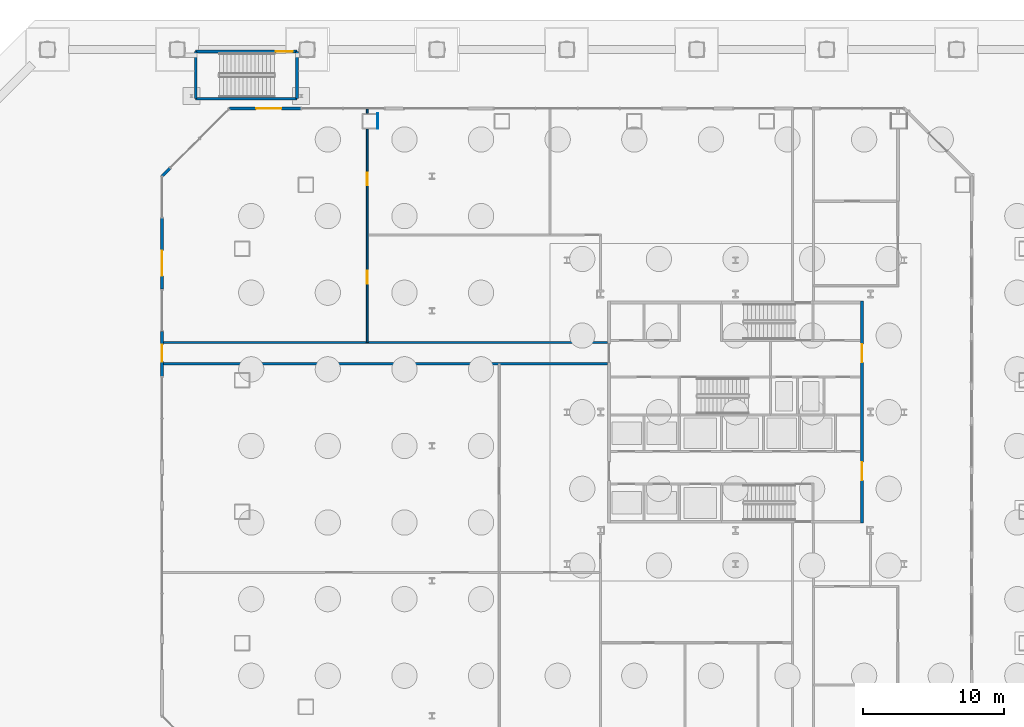
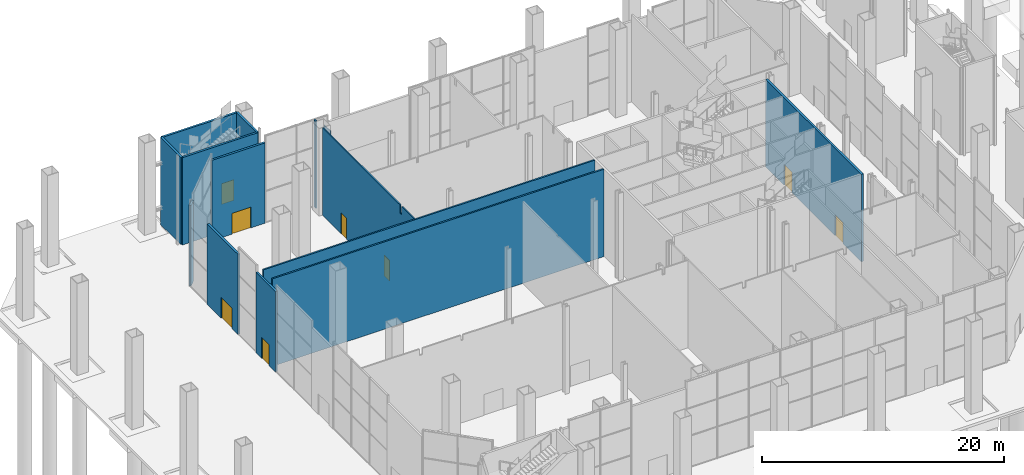
# One storey, part 25 of 38: 14 walls, 8 doors, 8 openings.
"""IFC4 building model written with IfcOpenShell, lengths in metres."""

from ifc_helpers import new_model, si_unit, direction, frame, frame_2d, origin, place, context, subcontext, project, spatial, polyline, rectangle, outline, extrude, material, layer, layer_set, type_object, element, fill, save


model = new_model("IFC4")

# Units and contexts
model_context = context("Model", 3, precision=1e-05, world=origin(), true_north=direction((0.0, 1.0)))
body_context = subcontext(model_context, "Body", "Model", "MODEL_VIEW")
ifc_project = project(units=[si_unit("LENGTHUNIT", "METRE"), si_unit("AREAUNIT", "SQUARE_METRE"), si_unit("VOLUMEUNIT", "CUBIC_METRE"), si_unit("PLANEANGLEUNIT", "RADIAN"), si_unit("MASSUNIT", "GRAM", prefix="KILO")], contexts=[model_context])

# Site, building, storey
site_placement = place(None, origin())
site = spatial("IfcSite", under=ifc_project, at=site_placement, CompositionType="ELEMENT")
building_placement = place(site_placement, origin())
building = spatial("IfcBuilding", under=site, at=building_placement, Name="Cairn Pilgrim Tower", CompositionType="ELEMENT")
storey_placement = place(building_placement, origin())
storey = spatial("IfcBuildingStorey", under=building, at=storey_placement, Name="L00", CompositionType="ELEMENT", Elevation=0.0)

# Wall, openings, doors
ifc_material_1 = material(Name="Concrete C32/40", Category="concrete")
ifc_layer_1 = layer(ifc_material_1, 0.199951171875)
ifc_layer_set_1 = layer_set([ifc_layer_1], Name="CORE OUTER WALL 200 EI 120")
wall_type_1 = type_object("IfcWallType", Name="CORE OUTER WALL 200 EI 120", PredefinedType="SOLIDWALL", material=ifc_layer_set_1)
wall_1_placement = place(storey_placement, frame((16.199951171875, -5.5, 0.0), z_axis=(0.0, 0.0, 1.0), x_axis=(0.0, 1.0, 0.0)))
wall_1 = element("IfcWall", 1, at=wall_1_placement, inside=storey, type_object=wall_type_1, Name="CW:L00:V31", PredefinedType="SOLIDWALL", context=body_context, shape_type="SweptSolid", body=[
    extrude(rectangle(XDim=15.800048828125, YDim=0.199951171875, at=frame_2d((7.89990234375, 0.0))), origin(), (0.0, 0.0, 1.0), 8.800048828125),
])
opening_1_placement = place(wall_1_placement, frame((3.050048828125, 0.0, 0.0)))
opening_1 = element("IfcOpeningElement", 2, at=opening_1_placement, cuts=wall_1, Name="Opening CD-E1", PredefinedType="OPENING", context=body_context, shape_type="SweptSolid", body=[
    extrude(rectangle(XDim=1.300048828125, YDim=2.10009765625, at=frame_2d((0.64990234375, 1.050048828125))), frame((0.0, 0.10986328125, 0.0), z_axis=(0.0, -1.0, 0.0), x_axis=(1.0, 0.0, 0.0)), (0.0, 0.0, 1.0), 0.219970703125),
])
opening_2_placement = place(wall_1_placement, frame((11.449951171875, 0.0, 0.0)))
opening_2 = element("IfcOpeningElement", 3, at=opening_2_placement, cuts=wall_1, Name="Opening CD-E2", PredefinedType="OPENING", context=body_context, shape_type="SweptSolid", body=[
    extrude(rectangle(XDim=1.300048828125, YDim=2.10009765625, at=frame_2d((0.64990234375, 1.050048828125))), frame((0.0, 0.10986328125, 0.0), z_axis=(0.0, -1.0, 0.0), x_axis=(1.0, 0.0, 0.0)), (0.0, 0.0, 1.0), 0.219970703125),
])
ifc_material_2 = material(Name="Painted steel", Category="steel")
door_type_1 = type_object("IfcDoorType", Name="CORE LOBBY DOOR 1300x2100", OperationType="DOUBLE_DOOR_SINGLE_SWING", PredefinedType="DOOR", material=ifc_material_2)
door_1_placement = place(opening_1_placement, origin())
door_1 = element("IfcDoor", 4, at=door_1_placement, inside=storey, type_object=door_type_1, Name="CD-E1", OperationType="DOUBLE_DOOR_SINGLE_SWING", OverallHeight=2.10009765625, OverallWidth=1.300048828125, PredefinedType="DOOR", context=body_context, shape_type="SweptSolid", body=[
    extrude(rectangle(XDim=1.300048828125, YDim=2.10009765625, at=frame_2d((0.64990234375, 1.050048828125))), frame((0.0, 0.02490234375, 0.0), z_axis=(0.0, -1.0, 0.0), x_axis=(1.0, 0.0, 0.0)), (0.0, 0.0, 1.0), 0.050048828125),
])
fill(opening_1, door_1)
door_2_placement = place(opening_2_placement, origin())
door_2 = element("IfcDoor", 5, at=door_2_placement, inside=storey, type_object=door_type_1, Name="CD-E2", OperationType="DOUBLE_DOOR_SINGLE_SWING", OverallHeight=2.10009765625, OverallWidth=1.300048828125, PredefinedType="DOOR", context=body_context, shape_type="SweptSolid", body=[
    extrude(rectangle(XDim=1.300048828125, YDim=2.10009765625, at=frame_2d((0.64990234375, 1.050048828125))), frame((0.0, 0.02490234375, 0.0), z_axis=(0.0, -1.0, 0.0), x_axis=(1.0, 0.0, 0.0)), (0.0, 0.0, 1.0), 0.050048828125),
])
fill(opening_2, door_2)

# Walls
ifc_layer_2 = layer(ifc_material_1, 0.14990234375)
ifc_layer_set_2 = layer_set([ifc_layer_2], Name="CORE SHAFT WALL 150 EI 120")
wall_type_2 = type_object("IfcWallType", Name="CORE SHAFT WALL 150 EI 120", PredefinedType="SOLIDWALL", material=ifc_layer_set_2)
for number, where, z_axis, x_axis, name in (
    (6, (-33.5, 5.85009765625, 0.0), (0.0, 0.0, 1.0), (1.0, 0.0, 0.0), "CW:L00:XPB1"),
    (7, (-33.5, 7.35009765625, 0.0), (0.0, 0.0, 1.0), (1.0, 0.0, 0.0), "CW:L00:XPB2"),
):
    element("IfcWall", number, at=place(storey_placement, frame(where, z_axis=z_axis, x_axis=x_axis)), inside=storey, type_object=wall_type_2, Name=name, PredefinedType="SOLIDWALL", context=body_context, shape_type="SweptSolid", body=[
        extrude(rectangle(XDim=31.60009765625, YDim=0.14990234375, at=frame_2d((15.800048828125, 0.0))), origin(), (0.0, 0.0, 1.0), 8.800048828125),
    ])

# Wall, opening, door
ifc_material_3 = material(Name="Concrete C35/45 backup wall with bronze aluminium cladding", Category="concrete")
ifc_layer_3 = layer(ifc_material_3, 0.199951171875)
ifc_layer_set_3 = layer_set([ifc_layer_3], Name="ENTRANCE PORTAL WALL 200 BRONZE-CLAD")
wall_type_3 = type_object("IfcWallType", Name="ENTRANCE PORTAL WALL 200 BRONZE-CLAD", PredefinedType="SOLIDWALL", material=ifc_layer_set_3)
wall_2_placement = place(storey_placement, frame((-28.800048828125, 24.0, 0.0), z_axis=(0.0, 0.0, 1.0), x_axis=(1.0, 0.0, 0.0)))
wall_2 = element("IfcWall", 8, at=wall_2_placement, inside=storey, type_object=wall_type_3, Name="ENTRANCE PORTAL 4.8", PredefinedType="SOLIDWALL", context=body_context, shape_type="SweptSolid", body=[
    extrude(rectangle(XDim=5.074951171875, YDim=0.199951171875, at=frame_2d((2.53759765625, 0.0))), origin(), (0.0, 0.0, 1.0), 8.10009765625),
])
opening_3_placement = place(wall_2_placement, frame((1.89990234375, 0.0, 0.0)))
opening_3 = element("IfcOpeningElement", 9, at=opening_3_placement, cuts=wall_2, Name="Opening X48", PredefinedType="OPENING", context=body_context, shape_type="SweptSolid", body=[
    extrude(rectangle(XDim=1.800048828125, YDim=2.10009765625, at=frame_2d((0.89990234375, 1.050048828125))), frame((0.0, 0.10986328125, 0.0), z_axis=(0.0, -1.0, 0.0), x_axis=(1.0, 0.0, 0.0)), (0.0, 0.0, 1.0), 0.219970703125),
])
ifc_material_4 = material(Name="Bronze anodised aluminium frame with tinted toughened glass", Category="aluminium")
door_type_2 = type_object("IfcDoorType", Name="PAVILION EXIT DOOR PAIR 1800x2100", OperationType="DOUBLE_DOOR_SINGLE_SWING", PredefinedType="DOOR", material=ifc_material_4)
door_3_placement = place(opening_3_placement, origin())
door_3 = element("IfcDoor", 10, at=door_3_placement, inside=storey, type_object=door_type_2, Name="PAVILION EXIT DOOR", OperationType="SINGLE_SWING_LEFT", OverallHeight=2.10009765625, OverallWidth=1.800048828125, PredefinedType="DOOR", context=body_context, shape_type="SweptSolid", body=[
    extrude(rectangle(XDim=1.800048828125, YDim=2.10009765625, at=frame_2d((0.89990234375, 1.050048828125))), frame((0.0, 0.02490234375, 0.0), z_axis=(0.0, -1.0, 0.0), x_axis=(1.0, 0.0, 0.0)), (0.0, 0.0, 1.0), 0.050048828125),
])
fill(opening_3, door_3)

# Wall
wall_3_placement = place(storey_placement, frame((-33.60009765625, 19.199951171875, 0.0), z_axis=(0.0, 0.0, 1.0), x_axis=(0.707261593831, 0.70695193464, 0.0)))
element("IfcWall", 11, at=wall_3_placement, inside=storey, type_object=wall_type_3, Name="PAVILION CORNER PANEL WALL 5.2", PredefinedType="SOLIDWALL", context=body_context, shape_type="SweptSolid", body=[
    extrude(rectangle(XDim=0.788330078125, YDim=0.199951171875, at=frame_2d((0.39404296875, 0.0))), origin(), (0.0, 0.0, 1.0), 8.10009765625),
])

# Wall, opening, door
wall_4_placement = place(storey_placement, frame((-33.60009765625, 11.14990234375, 0.0), z_axis=(0.0, 0.0, 1.0), x_axis=(0.0, 1.0, 0.0)))
wall_4 = element("IfcWall", 12, at=wall_4_placement, inside=storey, type_object=wall_type_3, Name="ENTRANCE PORTAL 6.2", PredefinedType="SOLIDWALL", context=body_context, shape_type="SweptSolid", body=[
    extrude(rectangle(XDim=5.050048828125, YDim=0.199951171875, at=frame_2d((2.52490234375, 0.0))), origin(), (0.0, 0.0, 1.0), 8.10009765625),
])
opening_4_placement = place(wall_4_placement, frame((0.949951171875, 0.0, 0.0)))
opening_4 = element("IfcOpeningElement", 13, at=opening_4_placement, cuts=wall_4, Name="Opening X62", PredefinedType="OPENING", context=body_context, shape_type="SweptSolid", body=[
    extrude(rectangle(XDim=1.800048828125, YDim=2.10009765625, at=frame_2d((0.89990234375, 1.050048828125))), frame((0.0, 0.10986328125, 0.0), z_axis=(0.0, -1.0, 0.0), x_axis=(1.0, 0.0, 0.0)), (0.0, 0.0, 1.0), 0.219970703125),
])
door_4_placement = place(opening_4_placement, origin())
door_4 = element("IfcDoor", 14, at=door_4_placement, inside=storey, type_object=door_type_2, Name="PAVILION EXIT DOOR", OperationType="SINGLE_SWING_LEFT", OverallHeight=2.10009765625, OverallWidth=1.800048828125, PredefinedType="DOOR", context=body_context, shape_type="SweptSolid", body=[
    extrude(rectangle(XDim=1.800048828125, YDim=2.10009765625, at=frame_2d((0.89990234375, 1.050048828125))), frame((0.0, 0.02490234375, 0.0), z_axis=(0.0, -1.0, 0.0), x_axis=(1.0, 0.0, 0.0)), (0.0, 0.0, 1.0), 0.050048828125),
])
fill(opening_4, door_4)

wall_5_placement = place(storey_placement, frame((-33.60009765625, 4.949951171875, 0.0), z_axis=(0.0, 0.0, 1.0), x_axis=(0.0, 1.0, 0.0)))
wall_5 = element("IfcWall", 15, at=wall_5_placement, inside=storey, type_object=wall_type_3, Name="ENTRANCE PORTAL 6.4", PredefinedType="SOLIDWALL", context=body_context, shape_type="SweptSolid", body=[
    extrude(rectangle(XDim=3.199951171875, YDim=0.199951171875, at=frame_2d((1.60009765625, 0.0))), origin(), (0.0, 0.0, 1.0), 8.10009765625),
])
opening_5_placement = place(wall_5_placement, frame((1.050048828125, 0.0, 0.0)))
opening_5 = element("IfcOpeningElement", 16, at=opening_5_placement, cuts=wall_5, Name="Opening X64", PredefinedType="OPENING", context=body_context, shape_type="SweptSolid", body=[
    extrude(rectangle(XDim=1.199951171875, YDim=2.10009765625, at=frame_2d((0.60009765625, 1.050048828125))), frame((0.0, 0.10986328125, 0.0), z_axis=(0.0, -1.0, 0.0), x_axis=(1.0, 0.0, 0.0)), (0.0, 0.0, 1.0), 0.219970703125),
])
door_type_3 = type_object("IfcDoorType", Name="PAVILION EXIT DOOR 1200x2100 FD60S", OperationType="SINGLE_SWING_LEFT", PredefinedType="DOOR", material=ifc_material_2)
door_5_placement = place(opening_5_placement, origin())
door_5 = element("IfcDoor", 17, at=door_5_placement, inside=storey, type_object=door_type_3, Name="PAVILION EXIT DOOR", OperationType="SINGLE_SWING_LEFT", OverallHeight=2.10009765625, OverallWidth=1.199951171875, PredefinedType="DOOR", context=body_context, shape_type="SweptSolid", body=[
    extrude(rectangle(XDim=1.199951171875, YDim=2.10009765625, at=frame_2d((0.60009765625, 1.050048828125))), frame((0.0, 0.02490234375, 0.0), z_axis=(0.0, -1.0, 0.0), x_axis=(1.0, 0.0, 0.0)), (0.0, 0.0, 1.0), 0.050048828125),
])
fill(opening_5, door_5)

# Wall, openings, doors
ifc_material_5 = material(Name="Gypsum partition")
ifc_layer_4 = layer(ifc_material_5, 0.125)
ifc_layer_set_4 = layer_set([ifc_layer_4], Name="PARTITION 125 DRYWALL EI 60")
wall_type_4 = type_object("IfcWallType", Name="PARTITION 125 DRYWALL EI 60", PredefinedType="PARTITIONING", material=ifc_layer_set_4)
wall_6_placement = place(storey_placement, frame((-19.0, 7.35009765625, 0.0), z_axis=(0.0, 0.0, 1.0), x_axis=(0.0, 1.0, 0.0)))
wall_6 = element("IfcWall", 18, at=wall_6_placement, inside=storey, type_object=wall_type_4, Name="PARTITION W018", PredefinedType="PARTITIONING", context=body_context, shape_type="SweptSolid", body=[
    extrude(outline(polyline([(0.0, 0.0), (15.199951171875, 0.0), (15.199951171875, 8.800048828125), (2.39990234375, 8.800048828125), (2.39794921875, 7.97998046875), (2.10009765625, 7.97998046875), (2.097900390625, 8.800048828125), (0.0, 8.800048828125), (0.0, 0.0)])), frame((0.0, 0.0625, 0.0), z_axis=(0.0, -1.0, 0.0), x_axis=(1.0, 0.0, 0.0)), (0.0, 0.0, 1.0), 0.125),
])
opening_6_placement = place(wall_6_placement, frame((4.199951171875, 0.0, 0.0)))
opening_6 = element("IfcOpeningElement", 19, at=opening_6_placement, cuts=wall_6, Name="Opening 0014", PredefinedType="OPENING", context=body_context, shape_type="SweptSolid", body=[
    extrude(rectangle(XDim=0.89990234375, YDim=2.10009765625, at=frame_2d((0.449951171875, 1.050048828125))), frame((0.0, 0.072509765625, 0.0), z_axis=(0.0, -1.0, 0.0), x_axis=(1.0, 0.0, 0.0)), (0.0, 0.0, 1.0), 0.14501953125),
])
opening_7_placement = place(wall_6_placement, frame((11.199951171875, 0.0, 0.0)))
opening_7 = element("IfcOpeningElement", 20, at=opening_7_placement, cuts=wall_6, Name="Opening 0015", PredefinedType="OPENING", context=body_context, shape_type="SweptSolid", body=[
    extrude(rectangle(XDim=0.89990234375, YDim=2.10009765625, at=frame_2d((0.449951171875, 1.050048828125))), frame((0.0, 0.072509765625, 0.0), z_axis=(0.0, -1.0, 0.0), x_axis=(1.0, 0.0, 0.0)), (0.0, 0.0, 1.0), 0.14501953125),
])
ifc_material_6 = material(Name="Timber door leaf", Category="wood")
door_type_4 = type_object("IfcDoorType", Name="ROOM DOOR 900x2100 FD30S", OperationType="NOTDEFINED", PredefinedType="DOOR", material=ifc_material_6)
door_6_placement = place(opening_6_placement, frame((0.89990234375, 0.0, 0.0), z_axis=(0.0, 0.0, 1.0), x_axis=(-1.0, 0.0, 0.0)))
door_6 = element("IfcDoor", 21, at=door_6_placement, inside=storey, type_object=door_type_4, Name="DOOR 0014", OperationType="SINGLE_SWING_RIGHT", OverallHeight=2.10009765625, OverallWidth=0.89990234375, PredefinedType="DOOR", context=body_context, shape_type="SweptSolid", body=[
    extrude(rectangle(XDim=0.89990234375, YDim=2.10009765625, at=frame_2d((0.449951171875, 1.050048828125))), frame((0.0, 0.02490234375, 0.0), z_axis=(0.0, -1.0, 0.0), x_axis=(1.0, 0.0, 0.0)), (0.0, 0.0, 1.0), 0.050048828125),
])
fill(opening_6, door_6)
door_type_5 = type_object("IfcDoorType", Name="SERVICE DOOR 900x2100 FD30S", OperationType="NOTDEFINED", PredefinedType="DOOR", material=ifc_material_6)
door_7_placement = place(opening_7_placement, frame((0.89990234375, 0.0, 0.0), z_axis=(0.0, 0.0, 1.0), x_axis=(-1.0, 0.0, 0.0)))
door_7 = element("IfcDoor", 22, at=door_7_placement, inside=storey, type_object=door_type_5, Name="DOOR 0015", OperationType="SINGLE_SWING_RIGHT", OverallHeight=2.10009765625, OverallWidth=0.89990234375, PredefinedType="DOOR", context=body_context, shape_type="SweptSolid", body=[
    extrude(rectangle(XDim=0.89990234375, YDim=2.10009765625, at=frame_2d((0.449951171875, 1.050048828125))), frame((0.0, 0.02490234375, 0.0), z_axis=(0.0, -1.0, 0.0), x_axis=(1.0, 0.0, 0.0)), (0.0, 0.0, 1.0), 0.050048828125),
])
fill(opening_7, door_7)

# Walls
wall_7_placement = place(storey_placement, frame((-19.0, 23.64990234375, 0.0), z_axis=(0.0, 0.0, 1.0), x_axis=(0.0, 1.0, 0.0)))
element("IfcWall", 23, at=wall_7_placement, inside=storey, type_object=wall_type_4, Name="PARTITION W026", PredefinedType="PARTITIONING", context=body_context, shape_type="SweptSolid", body=[
    extrude(rectangle(XDim=0.30615234375, YDim=0.125, at=frame_2d((0.153076171875, 0.0))), origin(), (0.0, 0.0, 1.0), 8.800048828125),
])
ifc_layer_5 = layer(ifc_material_5, 0.050048828125)
ifc_layer_set_5 = layer_set([ifc_layer_5], Name="PARTITION 50 DRYWALL EI 60")
wall_type_5 = type_object("IfcWallType", Name="PARTITION 50 DRYWALL EI 60", PredefinedType="PARTITIONING", material=ifc_layer_set_5)
wall_8_placement = place(storey_placement, frame((-18.252197265625, 22.550048828125, 0.0), z_axis=(0.0, 0.0, 1.0), x_axis=(0.0, 1.0, 0.0)))
element("IfcWall", 24, at=wall_8_placement, inside=storey, type_object=wall_type_5, Name="COLUMN CASING WC04", PredefinedType="PARTITIONING", context=body_context, shape_type="SweptSolid", body=[
    extrude(rectangle(XDim=1.099853515625, YDim=0.050048828125, at=frame_2d((0.5498046875, 0.0))), origin(), (0.0, 0.0, 1.0), 8.179931640625),
])
ifc_material_7 = material(Name="Concrete C35/45", Category="concrete")
ifc_layer_6 = layer(ifc_material_7, 0.199951171875)
ifc_layer_set_6 = layer_set([ifc_layer_6], Name="PODIUM STAIR WALL 200 EI 120")
wall_type_6 = type_object("IfcWallType", Name="PODIUM STAIR WALL 200 EI 120", PredefinedType="SOLIDWALL", material=ifc_layer_set_6)
wall_9_placement = place(storey_placement, frame((-31.199951171875, 24.699951171875, 0.0), z_axis=(0.0, 0.0, 1.0), x_axis=(0.0, 1.0, 0.0)))
element("IfcWall", 25, at=wall_9_placement, inside=storey, type_object=wall_type_6, Name="HN STAIR WALL W", PredefinedType="SOLIDWALL", context=body_context, shape_type="SweptSolid", body=[
    extrude(rectangle(XDim=3.35009765625, YDim=0.199951171875, at=frame_2d((1.675048828125, 0.0))), origin(), (0.0, 0.0, 1.0), 8.800048828125),
])

# Wall, opening, door
wall_10_placement = place(storey_placement, frame((-31.199951171875, 28.050048828125, 0.0), z_axis=(0.0, 0.0, 1.0), x_axis=(1.0, 0.0, 0.0)))
wall_10 = element("IfcWall", 26, at=wall_10_placement, inside=storey, type_object=wall_type_6, Name="HN STAIR WALL N", PredefinedType="SOLIDWALL", context=body_context, shape_type="SweptSolid", body=[
    extrude(rectangle(XDim=7.199951171875, YDim=0.199951171875, at=frame_2d((3.60009765625, 0.0))), origin(), (0.0, 0.0, 1.0), 8.800048828125),
])
opening_8_placement = place(wall_10_placement, frame((5.699951171875, 0.0, 0.0)))
opening_8 = element("IfcOpeningElement", 27, at=opening_8_placement, cuts=wall_10, Name="Opening X-HN", PredefinedType="OPENING", context=body_context, shape_type="SweptSolid", body=[
    extrude(rectangle(XDim=1.199951171875, YDim=2.10009765625, at=frame_2d((0.60009765625, 1.050048828125))), frame((0.0, 0.10986328125, 0.0), z_axis=(0.0, -1.0, 0.0), x_axis=(1.0, 0.0, 0.0)), (0.0, 0.0, 1.0), 0.219970703125),
])
door_type_6 = type_object("IfcDoorType", Name="PODIUM EXIT DOOR 1200x2100 FD60S", OperationType="SINGLE_SWING_LEFT", PredefinedType="DOOR", material=ifc_material_2)
door_8_placement = place(opening_8_placement, origin())
door_8 = element("IfcDoor", 28, at=door_8_placement, inside=storey, type_object=door_type_6, Name="X-HN STAIR EXIT DOOR", OperationType="SINGLE_SWING_LEFT", OverallHeight=2.10009765625, OverallWidth=1.199951171875, PredefinedType="DOOR", context=body_context, shape_type="SweptSolid", body=[
    extrude(rectangle(XDim=1.199951171875, YDim=2.10009765625, at=frame_2d((0.60009765625, 1.050048828125))), frame((0.0, 0.02490234375, 0.0), z_axis=(0.0, -1.0, 0.0), x_axis=(1.0, 0.0, 0.0)), (0.0, 0.0, 1.0), 0.050048828125),
])
fill(opening_8, door_8)

# Walls
wall_11_placement = place(storey_placement, frame((-24.0, 28.050048828125, 0.0), z_axis=(0.0, 0.0, 1.0), x_axis=(0.0, -1.0, 0.0)))
element("IfcWall", 29, at=wall_11_placement, inside=storey, type_object=wall_type_6, Name="HN STAIR WALL E", PredefinedType="SOLIDWALL", context=body_context, shape_type="SweptSolid", body=[
    extrude(rectangle(XDim=3.35009765625, YDim=0.199951171875, at=frame_2d((1.675048828125, 0.0))), origin(), (0.0, 0.0, 1.0), 8.800048828125),
])
wall_12_placement = place(storey_placement, frame((-24.0, 24.699951171875, 0.0), z_axis=(0.0, 0.0, 1.0), x_axis=(-1.0, 0.0, 0.0)))
element("IfcWall", 30, at=wall_12_placement, inside=storey, type_object=wall_type_6, Name="HN STAIR WALL S", PredefinedType="SOLIDWALL", context=body_context, shape_type="SweptSolid", body=[
    extrude(rectangle(XDim=7.199951171875, YDim=0.199951171875, at=frame_2d((3.60009765625, 0.0))), origin(), (0.0, 0.0, 1.0), 8.800048828125),
])

save(model, "model.ifc")
